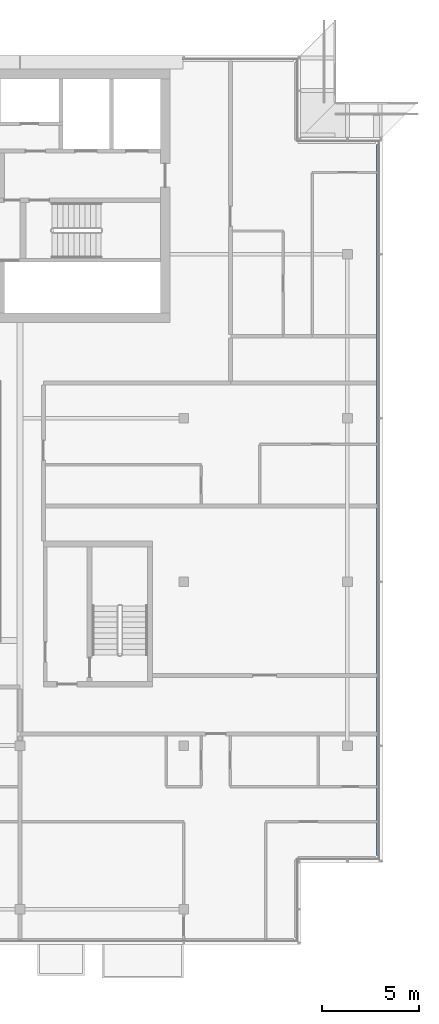
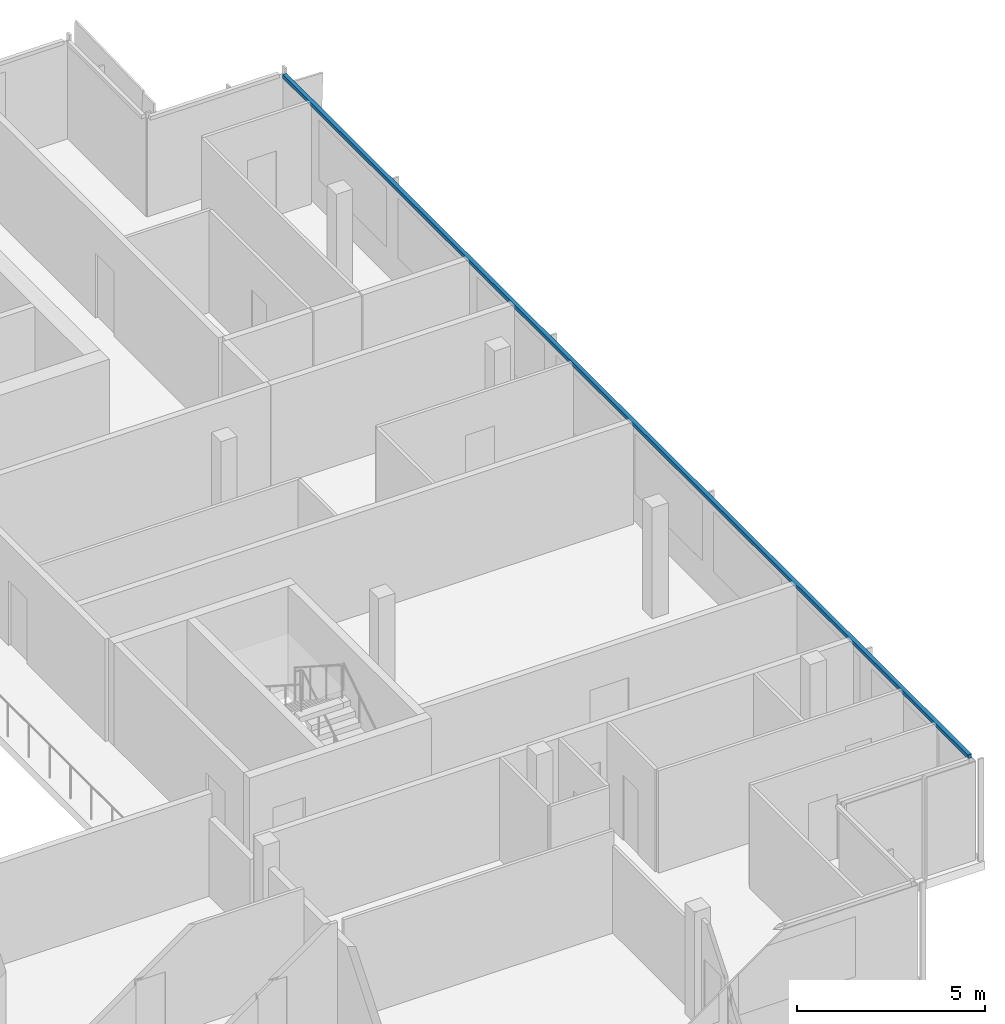
# One storey, part 9 of 24: 1 member, 1 element without a shape of its own.
"""IFC4 building model written with IfcOpenShell, lengths in metres."""

from ifc_helpers import new_model, si_unit, direction, frame, origin, origin_2d, place, context, subcontext, project, spatial, rectangle, extrude, material, material_profile, profile_set, type_object, element, aggregate, save


model = new_model("IFC4")

# Units and contexts
model_context = context("Model", 3, precision=1e-05, world=origin(), true_north=direction((0.0, 1.0)))
body_context = subcontext(model_context, "Body", "Model", "MODEL_VIEW")
ifc_project = project(units=[si_unit("LENGTHUNIT", "METRE"), si_unit("AREAUNIT", "SQUARE_METRE"), si_unit("VOLUMEUNIT", "CUBIC_METRE"), si_unit("PLANEANGLEUNIT", "RADIAN"), si_unit("MASSUNIT", "GRAM", prefix="KILO")], contexts=[model_context])

# Site, building, storey
site_placement = place(None, origin())
site = spatial("IfcSite", under=ifc_project, at=site_placement, CompositionType="ELEMENT")
building_placement = place(site_placement, origin())
building = spatial("IfcBuilding", under=site, at=building_placement, Name="Saffron Gate Tower", CompositionType="ELEMENT")
storey_placement = place(building_placement, frame((0.0, 0.0, 281.550048828125)))
storey = spatial("IfcBuildingStorey", under=building, at=storey_placement, Name="L68", CompositionType="ELEMENT", Elevation=281.550048828125)

# Curtain wall, member
ifc_material = material(Name="Aluminium, bronze anodised", Category="aluminium")
curtain_wall_type = type_object("IfcCurtainWallType", Name="CWS2 curtain wall side facades", PredefinedType="NOTDEFINED", material=ifc_material)
curtain_wall_placement = place(storey_placement, origin())
curtain_wall = element("IfcCurtainWall", 1, at=curtain_wall_placement, inside=storey, type_object=curtain_wall_type, Name="CWS2 run 4", PredefinedType="NOTDEFINED")
ifc_material_profile = material_profile(ifc_material, rectangle(XDim=0.1201171875, YDim=0.1201171875, at=origin_2d()))
ifc_profile_set = profile_set([ifc_material_profile], Name="Aluminium, bronze anodised")
member_type = type_object("IfcMemberType", Name="CWS2 head transom", PredefinedType="USERDEFINED", material=ifc_profile_set)
member_placement = place(storey_placement, frame((118.552001953125, 34.568115234375, 3.260009765625), z_axis=(0.0, 1.0, 0.0), x_axis=(-1.0, 0.0, 0.0)))
member = element("IfcMember", 2, at=member_placement, type_object=member_type, Name="CWS2 head transom", ObjectType="TRANSOM", PredefinedType="USERDEFINED", context=body_context, shape_type="SweptSolid", body=[
    extrude(rectangle(XDim=0.1201171875, YDim=0.1201171875, at=origin_2d()), origin(), (0.0, 0.0, 1.0), 36.4638671875),
])
aggregate(curtain_wall, [member])

save(model, "model.ifc")
